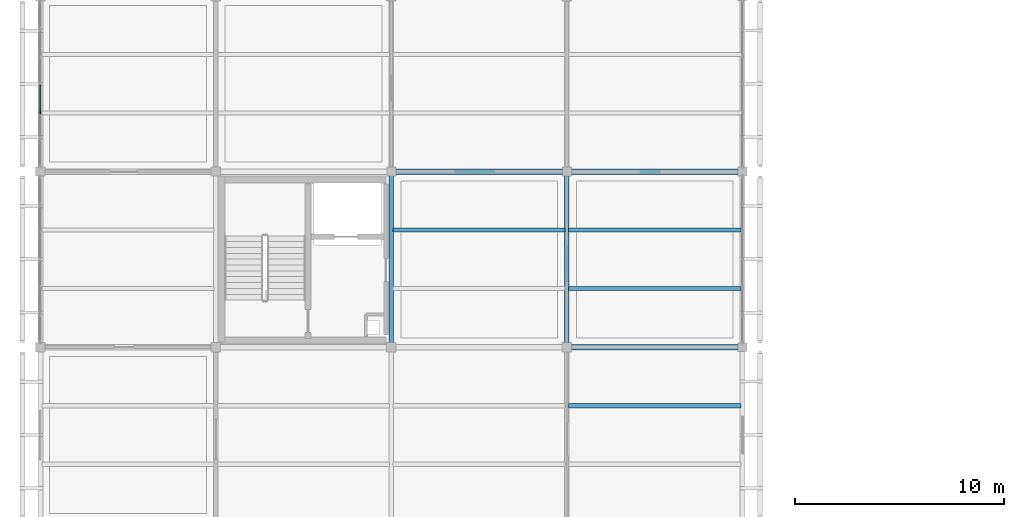
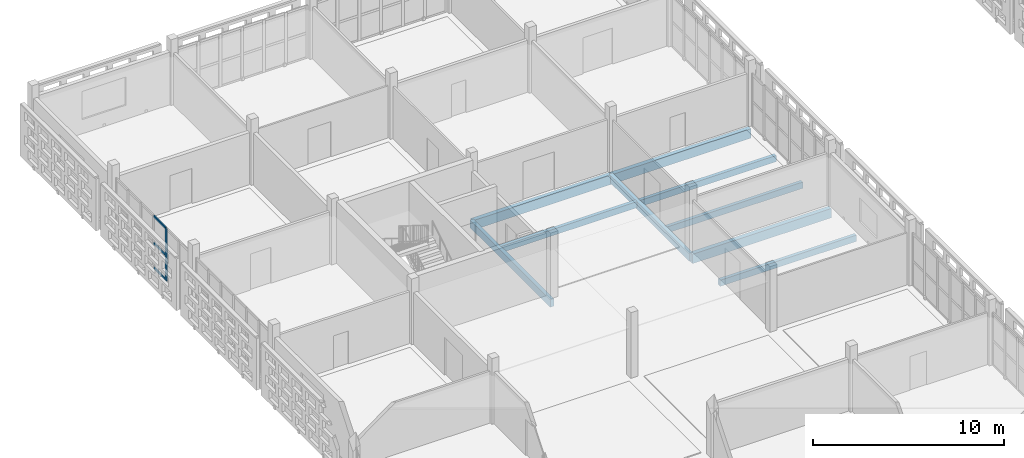
# One storey, part 46 of 140: 9 beams, 4 members, 1 element without a shape of its own.
"""IFC4 building model written with IfcOpenShell, lengths in metres."""

from ifc_helpers import new_model, si_unit, direction, frame, origin, origin_2d, place, context, subcontext, project, spatial, rectangle, extrude, material, layer, layer_set, material_profile, profile_set, type_object, element, aggregate, save


model = new_model("IFC4")

# Units and contexts
model_context = context("Model", 3, precision=1e-05, world=origin(), true_north=direction((0.0, 1.0)))
body_context = subcontext(model_context, "Body", "Model", "MODEL_VIEW")
ifc_project = project(units=[si_unit("LENGTHUNIT", "METRE"), si_unit("AREAUNIT", "SQUARE_METRE"), si_unit("VOLUMEUNIT", "CUBIC_METRE"), si_unit("PLANEANGLEUNIT", "RADIAN"), si_unit("MASSUNIT", "GRAM", prefix="KILO")], contexts=[model_context])

# Site, building, storey
site_placement = place(None, origin())
site = spatial("IfcSite", under=ifc_project, at=site_placement, CompositionType="ELEMENT")
building_placement = place(site_placement, origin())
building = spatial("IfcBuilding", under=site, at=building_placement, Name="Varnapada Polytechnic", CompositionType="ELEMENT")
storey_placement = place(building_placement, frame((0.0, 0.0, 13.800048828125)))
storey = spatial("IfcBuildingStorey", under=building, at=storey_placement, Name="L03", CompositionType="ELEMENT", Elevation=13.800048828125)

# Beams
ifc_material_1 = material(Name="Glulam GL32h", Category="wood")
ifc_material_profile_1 = material_profile(ifc_material_1, rectangle(XDim=0.199951171875, YDim=0.39990234375, at=origin_2d()), Name="GL 200x400")
ifc_profile_set_1 = profile_set([ifc_material_profile_1], Name="Glulam GL32h")
beam_type_1 = type_object("IfcBeamType", Name="Library/laboratory glulam floor joist GJ-01 (GL 200x400)", PredefinedType="JOIST", material=ifc_profile_set_1)
beam_1_placement = place(storey_placement, frame((16.8798828125, 106.39990234375, -0.43994140625), z_axis=(1.0, 0.0, 0.0), x_axis=(0.0, 1.0, 0.0)))
element("IfcBeam", 1, at=beam_1_placement, inside=storey, type_object=beam_type_1, Name="L03 floor joist 3/13.2", PredefinedType="JOIST", context=body_context, shape_type="SweptSolid", body=[
    extrude(rectangle(XDim=0.199951171875, YDim=0.39990234375, at=origin_2d()), origin(), (0.0, 0.0, 1.0), 8.240234375),
])
for number, where, z_axis, x_axis, name in (
    (2, (25.280029296875, 98.0, -0.43994140625), (1.0, 0.0, 0.0), (0.0, 1.0, 0.0), "L03 floor joist 4/12.2"),
    (3, (25.280029296875, 103.60009765625, -0.43994140625), (1.0, 0.0, 0.0), (0.0, 1.0, 0.0), "L03 floor joist 4/13.1"),
    (4, (25.280029296875, 106.39990234375, -0.43994140625), (1.0, 0.0, 0.0), (0.0, 1.0, 0.0), "L03 floor joist 4/13.2"),
):
    element("IfcBeam", number, at=place(storey_placement, frame(where, z_axis=z_axis, x_axis=x_axis)), inside=storey, type_object=beam_type_1, Name=name, PredefinedType="JOIST", context=body_context, shape_type="SweptSolid", body=[
        extrude(rectangle(XDim=0.199951171875, YDim=0.39990234375, at=origin_2d()), origin(), (0.0, 0.0, 1.0), 8.239990234375),
    ])

# Curtain wall, member
ifc_material_2 = material(Name="Double low-E laminated glass", Category="glass")
ifc_layer = layer(ifc_material_2, 0.179931640625)
ifc_layer_set = layer_set([ifc_layer], Name="Double low-E laminated glass")
curtain_wall_type = type_object("IfcCurtainWallType", Name="Curtain Wall CW-03", PredefinedType="NOTDEFINED", material=ifc_layer_set)
curtain_wall_placement = place(storey_placement, origin())
curtain_wall = element("IfcCurtainWall", 5, at=curtain_wall_placement, inside=storey, type_object=curtain_wall_type, Name="L03 unitised curtain wall CW-03 (210)", PredefinedType="NOTDEFINED")
ifc_material_3 = material(Name="Anodised aluminium", Category="aluminium")
ifc_material_profile_2 = material_profile(ifc_material_3, rectangle(XDim=0.06494140625, YDim=0.179931640625, at=origin_2d()), Name="ALU M65x180")
ifc_profile_set_2 = profile_set([ifc_material_profile_2], Name="Anodised aluminium")
member_type_1 = type_object("IfcMemberType", Name="Mullion M-02", PredefinedType="MULLION", material=ifc_profile_set_2)
member_1_placement = place(storey_placement, frame((0.0, 112.070068359375, 0.0), z_axis=(0.0, 0.0, 1.0), x_axis=(-1.0, 0.0, 0.0)))
member_1 = element("IfcMember", 6, at=member_1_placement, type_object=member_type_1, Name="CW-03 mullion 3", PredefinedType="MULLION", context=body_context, shape_type="SweptSolid", body=[
    extrude(rectangle(XDim=0.06494140625, YDim=0.179931640625, at=origin_2d()), origin(), (0.0, 0.0, 1.0), 3.35986328125),
])

# Beams
ifc_material_profile_3 = material_profile(ifc_material_1, rectangle(XDim=0.260009765625, YDim=0.60009765625, at=origin_2d()), Name="GL 260x600")
ifc_profile_set_3 = profile_set([ifc_material_profile_3], Name="Glulam GL32h")
beam_type_2 = type_object("IfcBeamType", Name="Seminar wing glulam girder GG-05 (GL 260x600)", PredefinedType="BEAM", material=ifc_profile_set_3)
beam_2_placement = place(storey_placement, frame((16.800048828125, 109.199951171875, -0.5400390625), z_axis=(1.0, 0.0, 0.0), x_axis=(0.0, 1.0, 0.0)))
element("IfcBeam", 7, at=beam_2_placement, inside=storey, type_object=beam_type_2, Name="L03 beam X 3-4 at Y14", PredefinedType="BEAM", context=body_context, shape_type="SweptSolid", body=[
    extrude(rectangle(XDim=0.260009765625, YDim=0.60009765625, at=origin_2d()), origin(), (0.0, 0.0, 1.0), 8.39990234375),
])
for number, where, z_axis, x_axis, name in (
    (8, (25.199951171875, 100.800048828125, -0.5400390625), (1.0, 0.0, 0.0), (0.0, 1.0, 0.0), "L03 beam X 4-5 at Y13"),
    (9, (25.199951171875, 109.199951171875, -0.5400390625), (1.0, 0.0, 0.0), (0.0, 1.0, 0.0), "L03 beam X 4-5 at Y14"),
):
    element("IfcBeam", number, at=place(storey_placement, frame(where, z_axis=z_axis, x_axis=x_axis)), inside=storey, type_object=beam_type_2, Name=name, PredefinedType="BEAM", context=body_context, shape_type="SweptSolid", body=[
        extrude(rectangle(XDim=0.260009765625, YDim=0.60009765625, at=origin_2d()), origin(), (0.0, 0.0, 1.0), 8.400146484375),
    ])

# Member
ifc_material_profile_4 = material_profile(ifc_material_3, rectangle(XDim=0.06494140625, YDim=0.139892578125, at=origin_2d()), Name="ALU T65x140")
ifc_profile_set_4 = profile_set([ifc_material_profile_4], Name="Anodised aluminium")
member_type_2 = type_object("IfcMemberType", Name="Transom T-02", PredefinedType="USERDEFINED", material=ifc_profile_set_4)
member_2_placement = place(storey_placement, frame((0.0, 112.1025390625, 0.032470703125), z_axis=(0.0, 1.0, 0.0), x_axis=(-1.0, 0.0, 0.0)))
member_2 = element("IfcMember", 10, at=member_2_placement, type_object=member_type_2, Name="CW-03 transom 3.1", ObjectType="TRANSOM", PredefinedType="USERDEFINED", context=body_context, shape_type="SweptSolid", body=[
    extrude(rectangle(XDim=0.06494140625, YDim=0.139892578125, at=origin_2d()), origin(), (0.0, 0.0, 1.0), 1.260009765625),
])

member_3_placement = place(storey_placement, frame((0.0, 112.1025390625, 1.61279296875), z_axis=(0.0, 1.0, 0.0), x_axis=(-1.0, 0.0, 0.0)))
member_3 = element("IfcMember", 11, at=member_3_placement, type_object=member_type_2, Name="CW-03 transom 3.2", ObjectType="TRANSOM", PredefinedType="USERDEFINED", context=body_context, shape_type="SweptSolid", body=[
    extrude(rectangle(XDim=0.06494140625, YDim=0.139892578125, at=origin_2d()), origin(), (0.0, 0.0, 1.0), 1.260009765625),
])

member_4_placement = place(storey_placement, frame((0.0, 112.1025390625, 3.327392578125), z_axis=(0.0, 1.0, 0.0), x_axis=(-1.0, 0.0, 0.0)))
member_4 = element("IfcMember", 12, at=member_4_placement, type_object=member_type_2, Name="CW-03 transom 3.3", ObjectType="TRANSOM", PredefinedType="USERDEFINED", context=body_context, shape_type="SweptSolid", body=[
    extrude(rectangle(XDim=0.06494140625, YDim=0.139892578125, at=origin_2d()), origin(), (0.0, 0.0, 1.0), 1.260009765625),
])

aggregate(curtain_wall, [member_1, member_2, member_3, member_4])

# Beams
ifc_material_profile_5 = material_profile(ifc_material_1, rectangle(XDim=0.219970703125, YDim=0.47998046875, at=origin_2d()), Name="GL 220x480")
ifc_profile_set_5 = profile_set([ifc_material_profile_5], Name="Glulam GL32h")
beam_type_3 = type_object("IfcBeamType", Name="Upper floor glulam tie beam GB-11 (GL 220x480)", PredefinedType="BEAM", material=ifc_profile_set_5)
for number, where, z_axis, x_axis, name in (
    (13, (16.800048828125, 100.800048828125, -0.47998046875), (0.0, 1.0, 0.0), (-1.0, 0.0, 0.0), "L03 beam Y 13-14 at X3"),
    (14, (25.199951171875, 100.800048828125, -0.47998046875), (0.0, 1.0, 0.0), (-1.0, 0.0, 0.0), "L03 beam Y 13-14 at X4"),
):
    element("IfcBeam", number, at=place(storey_placement, frame(where, z_axis=z_axis, x_axis=x_axis)), inside=storey, type_object=beam_type_3, Name=name, PredefinedType="BEAM", context=body_context, shape_type="SweptSolid", body=[
        extrude(rectangle(XDim=0.219970703125, YDim=0.47998046875, at=origin_2d()), origin(), (0.0, 0.0, 1.0), 8.39990234375),
    ])

save(model, "model.ifc")
